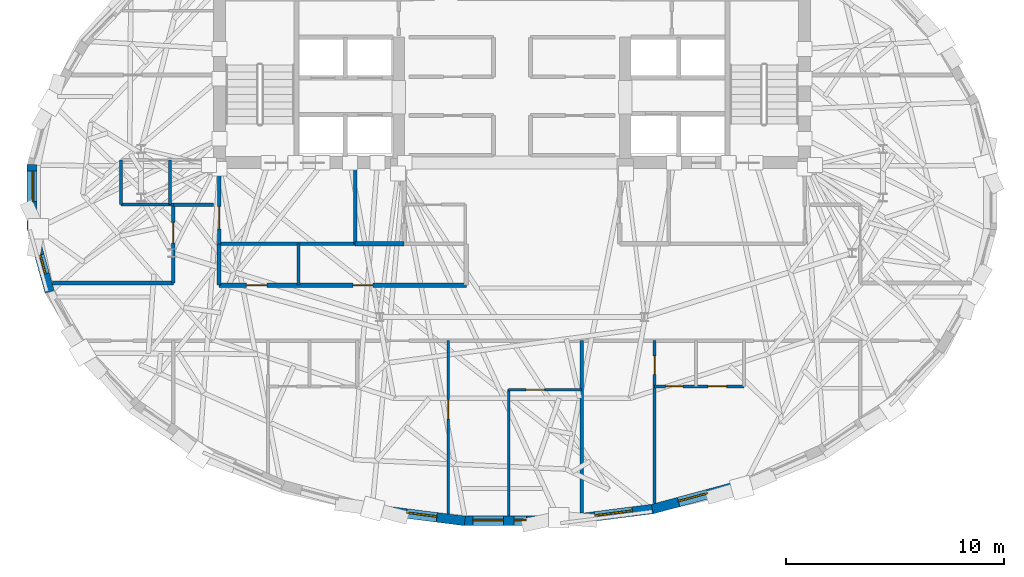
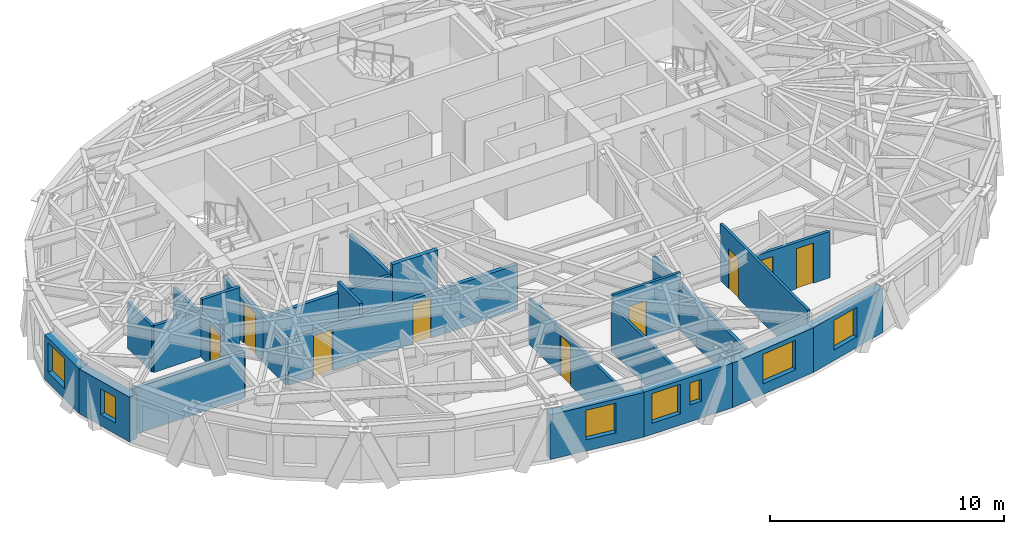
# One storey, part 6 of 13: 25 walls, 9 doors, 7 windows, 16 openings.
"""IFC4 building model written with IfcOpenShell, lengths in metres."""

from ifc_helpers import new_model, si_unit, direction, frame, frame_2d, origin, place, context, subcontext, project, spatial, rectangle, extrude, material, layer, layer_set, type_object, element, fill, save


model = new_model("IFC4")

# Units and contexts
model_context = context("Model", 3, precision=1e-05, world=origin(), true_north=direction((0.0, 1.0)))
body_context = subcontext(model_context, "Body", "Model", "MODEL_VIEW")
ifc_project = project(units=[si_unit("LENGTHUNIT", "METRE"), si_unit("AREAUNIT", "SQUARE_METRE"), si_unit("VOLUMEUNIT", "CUBIC_METRE"), si_unit("PLANEANGLEUNIT", "RADIAN"), si_unit("MASSUNIT", "GRAM", prefix="KILO")], contexts=[model_context])

# Site, building, storey
site_placement = place(None, origin())
site = spatial("IfcSite", under=ifc_project, at=site_placement, CompositionType="ELEMENT")
building_placement = place(site_placement, origin())
building = spatial("IfcBuilding", under=site, at=building_placement, Name="Keldmark Tower", CompositionType="ELEMENT")
storey_placement = place(building_placement, frame((0.0, 0.0, 232.050048828125)))
storey = spatial("IfcBuildingStorey", under=building, at=storey_placement, Name="L65", CompositionType="ELEMENT", Elevation=232.050048828125)

# Wall, openings, doors
ifc_material_1 = material(Name="Heavy Acoustic Plumbing Chase Gypsum Assembly", Category="gypsum")
ifc_layer_1 = layer(ifc_material_1, 0.18994140625)
ifc_layer_set_1 = layer_set([ifc_layer_1], Name="Heavy Acoustic Plumbing Chase Gypsum Assembly")
wall_type_1 = type_object("IfcWallType", Name="Heavy Wet Wall 190 mm", PredefinedType="PLUMBINGWALL", material=ifc_layer_set_1)
wall_1_placement = place(storey_placement, frame((-13.449951171875, -4.050048828125, 0.0), z_axis=(0.0, 0.0, 1.0), x_axis=(1.0, 0.0, 0.0)))
wall_1 = element("IfcWall", 1, at=wall_1_placement, inside=storey, type_object=wall_type_1, Name="L65 Heavy Wet Wall 190 mm SPK-W-S", PredefinedType="PLUMBINGWALL", context=body_context, shape_type="SweptSolid", body=[
    extrude(rectangle(XDim=11.349853515625, YDim=0.18994140625, at=frame_2d((5.6748046875, 0.0))), origin(), (0.0, 0.0, 1.0), 2.35693359375),
])
opening_1_placement = place(wall_1_placement, frame((1.25, 0.0, 0.0)))
opening_1 = element("IfcOpeningElement", 2, at=opening_1_placement, cuts=wall_1, Name="Opening D-AWC95", PredefinedType="OPENING", context=body_context, shape_type="SweptSolid", body=[
    extrude(rectangle(XDim=0.949951171875, YDim=2.14990234375, at=frame_2d((0.47509765625, 1.074951171875))), frame((0.0, 0.10498046875, 0.0), z_axis=(0.0, -1.0, 0.0), x_axis=(1.0, 0.0, 0.0)), (0.0, 0.0, 1.0), 0.2099609375),
])
opening_2_placement = place(wall_1_placement, frame((6.159912109375, 0.0, 0.0)))
opening_2 = element("IfcOpeningElement", 3, at=opening_2_placement, cuts=wall_1, Name="Opening D-IN090", PredefinedType="OPENING", context=body_context, shape_type="SweptSolid", body=[
    extrude(rectangle(XDim=0.89990234375, YDim=2.10009765625, at=frame_2d((0.449951171875, 1.050048828125))), frame((0.0, 0.10498046875, 0.0), z_axis=(0.0, -1.0, 0.0), x_axis=(1.0, 0.0, 0.0)), (0.0, 0.0, 1.0), 0.2099609375),
])
ifc_material_2 = material(Name="Painted Solid-Core Architectural Wood", Category="wood")
door_type_1 = type_object("IfcDoorType", Name="Accessible WC Door 950x2150", OperationType="NOTDEFINED", PredefinedType="DOOR", material=ifc_material_2)
door_1_placement = place(opening_1_placement, origin())
door_1 = element("IfcDoor", 4, at=door_1_placement, inside=storey, type_object=door_type_1, Name="L65 Accessible WC Door 950x2150 D-SPKW1-L65", OperationType="SINGLE_SWING_RIGHT", OverallHeight=2.14990234375, OverallWidth=0.949951171875, PredefinedType="DOOR", context=body_context, shape_type="SweptSolid", body=[
    extrude(rectangle(XDim=0.949951171875, YDim=2.14990234375, at=frame_2d((0.47509765625, 1.074951171875))), frame((0.0, 0.02490234375, 0.0), z_axis=(0.0, -1.0, 0.0), x_axis=(1.0, 0.0, 0.0)), (0.0, 0.0, 1.0), 0.050048828125),
])
fill(opening_1, door_1)
ifc_material_3 = material(Name="Stained American White Oak Veneer", Category="wood")
door_type_2 = type_object("IfcDoorType", Name="Interior Door 900x2100", OperationType="NOTDEFINED", PredefinedType="DOOR", material=ifc_material_3)
door_2_placement = place(opening_2_placement, origin())
door_2 = element("IfcDoor", 5, at=door_2_placement, inside=storey, type_object=door_type_2, Name="L65 Interior Door 900x2100 D-SPKW2-L65", OperationType="SINGLE_SWING_RIGHT", OverallHeight=2.10009765625, OverallWidth=0.89990234375, PredefinedType="DOOR", context=body_context, shape_type="SweptSolid", body=[
    extrude(rectangle(XDim=0.89990234375, YDim=2.10009765625, at=frame_2d((0.449951171875, 1.050048828125))), frame((0.0, 0.02490234375, 0.0), z_axis=(0.0, -1.0, 0.0), x_axis=(1.0, 0.0, 0.0)), (0.0, 0.0, 1.0), 0.050048828125),
])
fill(opening_2, door_2)

# Walls
wall_2_placement = place(storey_placement, frame((-13.449951171875, -4.050048828125, 0.0), z_axis=(0.0, 0.0, 1.0), x_axis=(0.0, 1.0, 0.0)))
element("IfcWall", 6, at=wall_2_placement, inside=storey, type_object=wall_type_1, Name="L65 Heavy Wet Wall 190 mm SPK-W-W", PredefinedType="PLUMBINGWALL", context=body_context, shape_type="SweptSolid", body=[
    extrude(rectangle(XDim=1.900146484375, YDim=0.18994140625, at=frame_2d((0.9501953125, 0.0))), origin(), (0.0, 0.0, 1.0), 2.4228515625),
])
ifc_material_4 = material(Name="Acoustic Gypsum Board Interior Partition", Category="gypsum")
ifc_layer_2 = layer(ifc_material_4, 0.1298828125)
ifc_layer_set_2 = layer_set([ifc_layer_2], Name="Acoustic Gypsum Board Interior Partition")
wall_type_2 = type_object("IfcWallType", Name="Interior Partition 130 mm", PredefinedType="PARTITIONING", material=ifc_layer_set_2)
wall_3_placement = place(storey_placement, frame((-0.14990234375, -14.646728515625, 0.0), z_axis=(0.0, 0.0, 1.0), x_axis=(0.0, 1.0, 0.0)))
element("IfcWall", 7, at=wall_3_placement, inside=storey, type_object=wall_type_2, Name="L65 Interior Partition 130 mm UA-BR2-W", PredefinedType="PARTITIONING", context=body_context, shape_type="SweptSolid", body=[
    extrude(rectangle(XDim=5.796630859375, YDim=0.1298828125, at=frame_2d((2.8984375, 0.0))), origin(), (0.0, 0.0, 1.0), 2.4228515625),
])

# Wall, opening, door
wall_4_placement = place(storey_placement, frame((-0.14990234375, -8.85009765625, 0.0), z_axis=(0.0, 0.0, 1.0), x_axis=(1.0, 0.0, 0.0)))
wall_4 = element("IfcWall", 8, at=wall_4_placement, inside=storey, type_object=wall_type_2, Name="L65 Interior Partition 130 mm UA-BR2-N", PredefinedType="PARTITIONING", context=body_context, shape_type="SweptSolid", body=[
    extrude(rectangle(XDim=3.349853515625, YDim=0.1298828125, at=frame_2d((1.6748046875, 0.0))), origin(), (0.0, 0.0, 1.0), 2.969970703125),
])
opening_3_placement = place(wall_4_placement, frame((0.800048828125, 0.0, 0.0)))
opening_3 = element("IfcOpeningElement", 9, at=opening_3_placement, cuts=wall_4, Name="Opening D-BR085", PredefinedType="OPENING", context=body_context, shape_type="SweptSolid", body=[
    extrude(rectangle(XDim=0.85009765625, YDim=2.10009765625, at=frame_2d((0.425048828125, 1.050048828125))), frame((0.0, 0.074951171875, 0.0), z_axis=(0.0, -1.0, 0.0), x_axis=(1.0, 0.0, 0.0)), (0.0, 0.0, 1.0), 0.14990234375),
])
ifc_material_5 = material(Name="Solid-Core Stained Walnut Wood", Category="wood")
door_type_3 = type_object("IfcDoorType", Name="Bedroom Door 850x2100", OperationType="NOTDEFINED", PredefinedType="DOOR", material=ifc_material_5)
door_3_placement = place(opening_3_placement, origin())
door_3 = element("IfcDoor", 10, at=door_3_placement, inside=storey, type_object=door_type_3, Name="L65 Bedroom Door 850x2100 D-UA-BR2-L65", OperationType="SINGLE_SWING_LEFT", OverallHeight=2.10009765625, OverallWidth=0.85009765625, PredefinedType="DOOR", context=body_context, shape_type="SweptSolid", body=[
    extrude(rectangle(XDim=0.85009765625, YDim=2.10009765625, at=frame_2d((0.425048828125, 1.050048828125))), frame((0.0, 0.02490234375, 0.0), z_axis=(0.0, -1.0, 0.0), x_axis=(1.0, 0.0, 0.0)), (0.0, 0.0, 1.0), 0.050048828125),
])
fill(opening_3, door_3)

wall_5_placement = place(storey_placement, frame((-2.925048828125, -14.549560546875, 0.0), z_axis=(0.0, 0.0, 1.0), x_axis=(0.0, 1.0, 0.0)))
wall_5 = element("IfcWall", 11, at=wall_5_placement, inside=storey, type_object=wall_type_2, Name="L65 Interior Partition 130 mm UA-DIN-W", PredefinedType="PARTITIONING", context=body_context, shape_type="SweptSolid", body=[
    extrude(rectangle(XDim=7.949462890625, YDim=0.1298828125, at=frame_2d((3.974609375, 0.0))), origin(), (0.0, 0.0, 1.0), 2.4228515625),
])
opening_4_placement = place(wall_5_placement, frame((4.34912109375, 0.0, 0.0)))
opening_4 = element("IfcOpeningElement", 12, at=opening_4_placement, cuts=wall_5, Name="Opening D-IN090", PredefinedType="OPENING", context=body_context, shape_type="SweptSolid", body=[
    extrude(rectangle(XDim=0.89990234375, YDim=2.10009765625, at=frame_2d((0.449951171875, 1.050048828125))), frame((0.0, 0.074951171875, 0.0), z_axis=(0.0, -1.0, 0.0), x_axis=(1.0, 0.0, 0.0)), (0.0, 0.0, 1.0), 0.14990234375),
])
door_4_placement = place(opening_4_placement, origin())
door_4 = element("IfcDoor", 13, at=door_4_placement, inside=storey, type_object=door_type_2, Name="L65 Interior Door 900x2100 D-UA-DIN-L65", OperationType="SINGLE_SWING_LEFT", OverallHeight=2.10009765625, OverallWidth=0.89990234375, PredefinedType="DOOR", context=body_context, shape_type="SweptSolid", body=[
    extrude(rectangle(XDim=0.89990234375, YDim=2.10009765625, at=frame_2d((0.449951171875, 1.050048828125))), frame((0.0, 0.02490234375, 0.0), z_axis=(0.0, -1.0, 0.0), x_axis=(1.0, 0.0, 0.0)), (0.0, 0.0, 1.0), 0.050048828125),
])
fill(opening_4, door_4)

wall_6_placement = place(storey_placement, frame((6.550048828125, -14.0673828125, 0.0), z_axis=(0.0, 0.0, 1.0), x_axis=(0.0, 1.0, 0.0)))
wall_6 = element("IfcWall", 14, at=wall_6_placement, inside=storey, type_object=wall_type_2, Name="L65 Interior Partition 130 mm UB-BR1-E", PredefinedType="PARTITIONING", context=body_context, shape_type="SweptSolid", body=[
    extrude(rectangle(XDim=7.46728515625, YDim=0.1298828125, at=frame_2d((3.733642578125, 0.0))), origin(), (0.0, 0.0, 1.0), 2.969970703125),
])
opening_5_placement = place(wall_6_placement, frame((5.91748046875, 0.0, 0.0)))
opening_5 = element("IfcOpeningElement", 15, at=opening_5_placement, cuts=wall_6, Name="Opening D-BR085", PredefinedType="OPENING", context=body_context, shape_type="SweptSolid", body=[
    extrude(rectangle(XDim=0.85009765625, YDim=2.10009765625, at=frame_2d((0.425048828125, 1.050048828125))), frame((0.0, 0.074951171875, 0.0), z_axis=(0.0, -1.0, 0.0), x_axis=(1.0, 0.0, 0.0)), (0.0, 0.0, 1.0), 0.14990234375),
])
door_5_placement = place(opening_5_placement, origin())
door_5 = element("IfcDoor", 16, at=door_5_placement, inside=storey, type_object=door_type_3, Name="L65 Bedroom Door 850x2100 D-UB-BR1-L65", OperationType="SINGLE_SWING_RIGHT", OverallHeight=2.10009765625, OverallWidth=0.85009765625, PredefinedType="DOOR", context=body_context, shape_type="SweptSolid", body=[
    extrude(rectangle(XDim=0.85009765625, YDim=2.10009765625, at=frame_2d((0.425048828125, 1.050048828125))), frame((0.0, 0.02490234375, 0.0), z_axis=(0.0, -1.0, 0.0), x_axis=(1.0, 0.0, 0.0)), (0.0, 0.0, 1.0), 0.050048828125),
])
fill(opening_5, door_5)

# Wall
ifc_material_6 = material(Name="Type X Fire-Rated Gypsum Partition Assembly", Category="gypsum")
ifc_layer_3 = layer(ifc_material_6, 0.1650390625)
ifc_layer_set_3 = layer_set([ifc_layer_3], Name="Type X Fire-Rated Gypsum Partition Assembly")
wall_type_3 = type_object("IfcWallType", Name="Rated Partition 165 mm", PredefinedType="PARTITIONING", material=ifc_layer_set_3)
wall_7_placement = place(storey_placement, frame((-13.449951171875, -2.14990234375, 0.0), z_axis=(0.0, 0.0, 1.0), x_axis=(1.0, 0.0, 0.0)))
element("IfcWall", 17, at=wall_7_placement, inside=storey, type_object=wall_type_3, Name="L65 Rated Partition 165 mm FSAE-W-S", PredefinedType="PARTITIONING", context=body_context, shape_type="SweptSolid", body=[
    extrude(rectangle(XDim=6.25, YDim=0.1650390625, at=frame_2d((3.125, 0.0))), origin(), (0.0, 0.0, 1.0), 2.4228515625),
])

# Wall, opening, door
wall_8_placement = place(storey_placement, frame((-13.449951171875, -2.14990234375, 0.0), z_axis=(0.0, 0.0, 1.0), x_axis=(0.0, 1.0, 0.0)))
wall_8 = element("IfcWall", 18, at=wall_8_placement, inside=storey, type_object=wall_type_3, Name="L65 Rated Partition 165 mm FSAE-W-W", PredefinedType="PARTITIONING", context=body_context, shape_type="SweptSolid", body=[
    extrude(rectangle(XDim=3.5, YDim=0.1650390625, at=frame_2d((1.75, 0.0))), origin(), (0.0, 0.0, 1.0), 2.4228515625),
])
opening_6_placement = place(wall_8_placement, frame((0.669921875, 0.0, 0.0)))
opening_6 = element("IfcOpeningElement", 19, at=opening_6_placement, cuts=wall_8, Name="Opening D-FL105", PredefinedType="OPENING", context=body_context, shape_type="SweptSolid", body=[
    extrude(rectangle(XDim=1.050048828125, YDim=2.14990234375, at=frame_2d((0.52490234375, 1.074951171875))), frame((0.0, 0.092529296875, 0.0), z_axis=(0.0, -1.0, 0.0), x_axis=(1.0, 0.0, 0.0)), (0.0, 0.0, 1.0), 0.18505859375),
])
ifc_material_7 = material(Name="Fire-Rated Mineral-Core Door and Vision Lite", Category="metal")
door_type_4 = type_object("IfcDoorType", Name="Fire Lobby Door 1050x2150", OperationType="NOTDEFINED", PredefinedType="DOOR", material=ifc_material_7)
door_6_placement = place(opening_6_placement, origin())
door_6 = element("IfcDoor", 20, at=door_6_placement, inside=storey, type_object=door_type_4, Name="L65 Fire Lobby Door 1050x2150 D-FSAEW-OUT-L65", OperationType="SINGLE_SWING_LEFT", OverallHeight=2.14990234375, OverallWidth=1.050048828125, PredefinedType="DOOR", context=body_context, shape_type="SweptSolid", body=[
    extrude(rectangle(XDim=1.050048828125, YDim=2.14990234375, at=frame_2d((0.52490234375, 1.074951171875))), frame((0.0, 0.02490234375, 0.0), z_axis=(0.0, -1.0, 0.0), x_axis=(1.0, 0.0, 0.0)), (0.0, 0.0, 1.0), 0.050048828125),
])
fill(opening_6, door_6)

# Walls
wall_9_placement = place(storey_placement, frame((-7.199951171875, -2.14990234375, 0.0), z_axis=(0.0, 0.0, 1.0), x_axis=(0.0, 1.0, 0.0)))
element("IfcWall", 21, at=wall_9_placement, inside=storey, type_object=wall_type_3, Name="L65 Rated Partition 165 mm FSAE-W-E", PredefinedType="PARTITIONING", context=body_context, shape_type="SweptSolid", body=[
    extrude(rectangle(XDim=3.5, YDim=0.1650390625, at=frame_2d((1.75, 0.0))), origin(), (0.0, 0.0, 1.0), 2.4228515625),
])
wall_10_placement = place(storey_placement, frame((-21.10986328125, -3.949951171875, 0.0), z_axis=(0.0, 0.0, 1.0), x_axis=(1.0, 0.0, 0.0)))
element("IfcWall", 22, at=wall_10_placement, inside=storey, type_object=wall_type_3, Name="L65 Rated Partition 165 mm RCOR-WN-OUT", PredefinedType="PARTITIONING", context=body_context, shape_type="SweptSolid", body=[
    extrude(rectangle(XDim=5.559814453125, YDim=0.1650390625, at=frame_2d((2.77978515625, 0.0))), origin(), (0.0, 0.0, 1.0), 2.4228515625),
])

# Wall, opening, door
wall_11_placement = place(storey_placement, frame((-15.550048828125, -3.949951171875, 0.0), z_axis=(0.0, 0.0, 1.0), x_axis=(0.0, 1.0, 0.0)))
wall_11 = element("IfcWall", 23, at=wall_11_placement, inside=storey, type_object=wall_type_3, Name="L65 Rated Partition 165 mm RCOR-VW", PredefinedType="PARTITIONING", context=body_context, shape_type="SweptSolid", body=[
    extrude(rectangle(XDim=3.599853515625, YDim=0.1650390625, at=frame_2d((1.7998046875, 0.0))), origin(), (0.0, 0.0, 1.0), 2.35693359375),
])
opening_7_placement = place(wall_11_placement, frame((1.830078125, 0.0, 0.0)))
opening_7 = element("IfcOpeningElement", 24, at=opening_7_placement, cuts=wall_11, Name="Opening D-AP095", PredefinedType="OPENING", context=body_context, shape_type="SweptSolid", body=[
    extrude(rectangle(XDim=0.949951171875, YDim=2.14990234375, at=frame_2d((0.47509765625, 1.074951171875))), frame((0.0, 0.092529296875, 0.0), z_axis=(0.0, -1.0, 0.0), x_axis=(1.0, 0.0, 0.0)), (0.0, 0.0, 1.0), 0.18505859375),
])
ifc_material_8 = material(Name="Solid-Core Walnut Fire-Rated Entry Assembly", Category="wood")
door_type_5 = type_object("IfcDoorType", Name="Apartment Entry Door 950x2150", OperationType="NOTDEFINED", PredefinedType="DOOR", material=ifc_material_8)
door_7_placement = place(opening_7_placement, origin())
door_7 = element("IfcDoor", 25, at=door_7_placement, inside=storey, type_object=door_type_5, Name="L65 Apartment Entry Door 950x2150 D-UC-ENT-L65", OperationType="SINGLE_SWING_RIGHT", OverallHeight=2.14990234375, OverallWidth=0.949951171875, PredefinedType="DOOR", context=body_context, shape_type="SweptSolid", body=[
    extrude(rectangle(XDim=0.949951171875, YDim=2.14990234375, at=frame_2d((0.47509765625, 1.074951171875))), frame((0.0, 0.02490234375, 0.0), z_axis=(0.0, -1.0, 0.0), x_axis=(1.0, 0.0, 0.0)), (0.0, 0.0, 1.0), 0.050048828125),
])
fill(opening_7, door_7)

# Walls
wall_12_placement = place(storey_placement, frame((-15.550048828125, -0.35009765625, 0.0), z_axis=(0.0, 0.0, 1.0), x_axis=(1.0, 0.0, 0.0)))
element("IfcWall", 26, at=wall_12_placement, inside=storey, type_object=wall_type_3, Name="L65 Rated Partition 165 mm RCOR-VWN", PredefinedType="PARTITIONING", context=body_context, shape_type="SweptSolid", body=[
    extrude(rectangle(XDim=1.85009765625, YDim=0.1650390625, at=frame_2d((0.925048828125, 0.0))), origin(), (0.0, 0.0, 1.0), 2.969970703125),
])
wall_13_placement = place(storey_placement, frame((3.199951171875, -14.514404296875, 0.0), z_axis=(0.0, 0.0, 1.0), x_axis=(0.0, 1.0, 0.0)))
element("IfcWall", 27, at=wall_13_placement, inside=storey, type_object=wall_type_3, Name="L65 Rated Partition 165 mm RS-DIV-1", PredefinedType="PARTITIONING", context=body_context, shape_type="SweptSolid", body=[
    extrude(rectangle(XDim=7.914306640625, YDim=0.1650390625, at=frame_2d((3.95703125, 0.0))), origin(), (0.0, 0.0, 1.0), 2.4228515625),
])
ifc_material_9 = material(Name="Fire-Resistant Type X Gypsum Shaftliner Coreboard", Category="gypsum")
ifc_layer_4 = layer(ifc_material_9, 0.199951171875)
ifc_layer_set_4 = layer_set([ifc_layer_4], Name="Fire-Resistant Type X Gypsum Shaftliner Coreboard")
wall_type_4 = type_object("IfcWallType", Name="Shaft Wall 200 mm", PredefinedType="SOLIDWALL", material=ifc_layer_set_4)
wall_14_placement = place(storey_placement, frame((-7.199951171875, -2.14990234375, 0.0), z_axis=(0.0, 0.0, 1.0), x_axis=(1.0, 0.0, 0.0)))
element("IfcWall", 28, at=wall_14_placement, inside=storey, type_object=wall_type_4, Name="L65 Shaft Wall 200 mm RIS-SW-S", PredefinedType="SOLIDWALL", context=body_context, shape_type="SweptSolid", body=[
    extrude(rectangle(XDim=2.25, YDim=0.199951171875, at=frame_2d((1.125, 0.0))), origin(), (0.0, 0.0, 1.0), 2.969970703125),
])

# Wall, opening, window
ifc_material_10 = material(Name="Ironspot Manganese Brick and Kasota Buff Limestone Spandrel Assembly", Category="masonry")
ifc_layer_5 = layer(ifc_material_10, 0.43994140625)
ifc_layer_set_5 = layer_set([ifc_layer_5], Name="Ironspot Manganese Brick and Kasota Buff Limestone Spandrel Assembly")
wall_type_5 = type_object("IfcWallType", Name="Tower Brick Pier and Spandrel Wall 440 mm", PredefinedType="STANDARD", material=ifc_layer_set_5)
wall_15_placement = place(storey_placement, frame((-22.039306640625, -1.48681640625, 0.0), z_axis=(0.0, 0.0, 1.0), x_axis=(0.0, 1.0, 0.0)))
wall_15 = element("IfcWall", 29, at=wall_15_placement, inside=storey, type_object=wall_type_5, Name="L65 Exterior Brick and Spandrel Wall 16", PredefinedType="STANDARD", context=body_context, shape_type="SweptSolid", body=[
    extrude(rectangle(XDim=2.9736328125, YDim=0.43994140625, at=frame_2d((1.48681640625, 0.0))), origin(), (0.0, 0.0, 1.0), 2.3359375),
])
opening_8_placement = place(wall_15_placement, frame((1.275634765625, 0.0, 0.550048828125)))
opening_8 = element("IfcOpeningElement", 30, at=opening_8_placement, cuts=wall_15, Name="Opening W-08", PredefinedType="OPENING", context=body_context, shape_type="SweptSolid", body=[
    extrude(rectangle(XDim=1.39990234375, YDim=1.550048828125, at=frame_2d((0.699951171875, 0.77490234375))), frame((0.0, 0.22998046875, 0.0), z_axis=(0.0, -1.0, 0.0), x_axis=(1.0, 0.0, 0.0)), (0.0, 0.0, 1.0), 0.4599609375),
])
ifc_material_11 = material(Name="Thermally Broken Anodized Aluminum and Triple Low-E Argon Glazing", Category="aluminium")
window_type_1 = type_object("IfcWindowType", Name="Residential Corner Punched Window 1400x1550", PartitioningType="SINGLE_PANEL", PredefinedType="WINDOW", material=ifc_material_11)
window_1_placement = place(opening_8_placement, origin())
window_1 = element("IfcWindow", 31, at=window_1_placement, inside=storey, type_object=window_type_1, Name="L65 Deep-Set Window 16", OverallHeight=1.550048828125, OverallWidth=1.39990234375, PartitioningType="SINGLE_PANEL", PredefinedType="WINDOW", context=body_context, shape_type="SweptSolid", body=[
    extrude(rectangle(XDim=1.39990234375, YDim=1.550048828125, at=frame_2d((0.699951171875, 0.77490234375))), frame((0.0, -0.010009765625, 0.0), z_axis=(0.0, -1.0, 0.0), x_axis=(1.0, 0.0, 0.0)), (0.0, 0.0, 1.0), 0.06005859375),
])
fill(opening_8, window_1)

wall_16_placement = place(storey_placement, frame((-21.234619140625, -4.352783203125, 0.0), z_axis=(0.0, 0.0, 1.0), x_axis=(-0.267714373586, 0.963498320795, 0.0)))
wall_16 = element("IfcWall", 32, at=wall_16_placement, inside=storey, type_object=wall_type_5, Name="L65 Exterior Brick and Spandrel Wall 17", PredefinedType="STANDARD", context=body_context, shape_type="SweptSolid", body=[
    extrude(rectangle(XDim=3.035888671875, YDim=0.43994140625, at=frame_2d((1.51806640625, 0.0))), origin(), (0.0, 0.0, 1.0), 2.3359375),
])
opening_9_placement = place(wall_16_placement, frame((0.8447265625, 0.0, 0.580078125)))
opening_9 = element("IfcOpeningElement", 33, at=opening_9_placement, cuts=wall_16, Name="Opening W-09", PredefinedType="OPENING", context=body_context, shape_type="SweptSolid", body=[
    extrude(rectangle(XDim=0.89990234375, YDim=1.35009765625, at=frame_2d((0.449951171875, 0.675048828125))), frame((0.0, 0.22998046875, 0.0), z_axis=(0.0, -1.0, 0.0), x_axis=(1.0, 0.0, 0.0)), (0.0, 0.0, 1.0), 0.4599609375),
])
ifc_material_12 = material(Name="Thermally Broken Anodized Aluminum and Triple Low-E Argon Glazing", Category="aluminium")
window_type_2 = type_object("IfcWindowType", Name="Corner Pier Deep-Set Window 900x1350", PartitioningType="SINGLE_PANEL", PredefinedType="WINDOW", material=ifc_material_12)
window_2_placement = place(opening_9_placement, origin())
window_2 = element("IfcWindow", 34, at=window_2_placement, inside=storey, type_object=window_type_2, Name="L65 Deep-Set Window 17", OverallHeight=1.35009765625, OverallWidth=0.89990234375, PartitioningType="SINGLE_PANEL", PredefinedType="WINDOW", context=body_context, shape_type="SweptSolid", body=[
    extrude(rectangle(XDim=0.89990234375, YDim=1.35009765625, at=frame_2d((0.449951171875, 0.675048828125))), frame((0.0, -0.010009765625, 0.0), z_axis=(0.0, -1.0, 0.0), x_axis=(1.0, 0.0, 0.0)), (0.0, 0.0, 1.0), 0.06005859375),
])
fill(opening_9, window_2)

wall_17_placement = place(storey_placement, frame((-2.164306640625, -14.876708984375, 0.0), z_axis=(0.0, 0.0, 1.0), x_axis=(-0.991932064275, 0.126770579643, 0.0)))
wall_17 = element("IfcWall", 35, at=wall_17_placement, inside=storey, type_object=wall_type_5, Name="L65 Exterior Brick and Spandrel Wall 23", PredefinedType="STANDARD", context=body_context, shape_type="SweptSolid", body=[
    extrude(rectangle(XDim=4.3486328125, YDim=0.43994140625, at=frame_2d((2.17431640625, 0.0))), origin(), (0.0, 0.0, 1.0), 2.3359375),
])
opening_10_placement = place(wall_17_placement, frame((1.29931640625, 0.0, 0.580078125)))
opening_10 = element("IfcOpeningElement", 36, at=opening_10_placement, cuts=wall_17, Name="Opening W-08", PredefinedType="OPENING", context=body_context, shape_type="SweptSolid", body=[
    extrude(rectangle(XDim=1.39990234375, YDim=1.550048828125, at=frame_2d((0.699951171875, 0.77490234375))), frame((0.0, 0.22998046875, 0.0), z_axis=(0.0, -1.0, 0.0), x_axis=(1.0, 0.0, 0.0)), (0.0, 0.0, 1.0), 0.4599609375),
])
window_3_placement = place(opening_10_placement, origin())
window_3 = element("IfcWindow", 37, at=window_3_placement, inside=storey, type_object=window_type_1, Name="L65 Deep-Set Window 23", OverallHeight=1.550048828125, OverallWidth=1.39990234375, PartitioningType="SINGLE_PANEL", PredefinedType="WINDOW", context=body_context, shape_type="SweptSolid", body=[
    extrude(rectangle(XDim=1.39990234375, YDim=1.550048828125, at=frame_2d((0.699951171875, 0.77490234375))), frame((0.0, -0.010009765625, 0.0), z_axis=(0.0, -1.0, 0.0), x_axis=(1.0, 0.0, 0.0)), (0.0, 0.0, 1.0), 0.06005859375),
])
fill(opening_10, window_3)

# Wall, openings, windows
wall_18_placement = place(storey_placement, frame((2.1923828125, -14.874755859375, 0.0), z_axis=(0.0, 0.0, 1.0), x_axis=(-1.0, 0.0, 0.0)))
wall_18 = element("IfcWall", 38, at=wall_18_placement, inside=storey, type_object=wall_type_5, Name="L65 Exterior Brick and Spandrel Wall 24", PredefinedType="STANDARD", context=body_context, shape_type="SweptSolid", body=[
    extrude(rectangle(XDim=4.384765625, YDim=0.43994140625, at=frame_2d((2.1923828125, 0.0))), origin(), (0.0, 0.0, 1.0), 2.3359375),
])
opening_11_placement = place(wall_18_placement, frame((2.585693359375, 0.0, 0.580078125)))
opening_11 = element("IfcOpeningElement", 39, at=opening_11_placement, cuts=wall_18, Name="Opening W-08", PredefinedType="OPENING", context=body_context, shape_type="SweptSolid", body=[
    extrude(rectangle(XDim=1.39990234375, YDim=1.550048828125, at=frame_2d((0.699951171875, 0.77490234375))), frame((0.0, 0.22998046875, 0.0), z_axis=(0.0, -1.0, 0.0), x_axis=(1.0, 0.0, 0.0)), (0.0, 0.0, 1.0), 0.4599609375),
])
opening_12_placement = place(wall_18_placement, frame((1.537841796875, 0.0, 0.8798828125)))
opening_12 = element("IfcOpeningElement", 40, at=opening_12_placement, cuts=wall_18, Name="Opening W-10", PredefinedType="OPENING", context=body_context, shape_type="SweptSolid", body=[
    extrude(rectangle(XDim=0.56005859375, YDim=1.14990234375, at=frame_2d((0.280029296875, 0.574951171875))), frame((0.0, 0.22998046875, 0.0), z_axis=(0.0, -1.0, 0.0), x_axis=(1.0, 0.0, 0.0)), (0.0, 0.0, 1.0), 0.4599609375),
])
ifc_material_13 = material(Name="Thermally Broken Anodized Aluminum and Triple Low-E Argon Glazing", Category="aluminium")
window_type_3 = type_object("IfcWindowType", Name="Narrow Pier Lancet Window 560x1150", PartitioningType="SINGLE_PANEL", PredefinedType="WINDOW", material=ifc_material_13)
window_4_placement = place(opening_12_placement, origin())
window_4 = element("IfcWindow", 41, at=window_4_placement, inside=storey, type_object=window_type_3, Name="L65 Pier Window RM01", OverallHeight=1.14990234375, OverallWidth=0.56005859375, PartitioningType="SINGLE_PANEL", PredefinedType="WINDOW", context=body_context, shape_type="SweptSolid", body=[
    extrude(rectangle(XDim=0.56005859375, YDim=1.14990234375, at=frame_2d((0.280029296875, 0.574951171875))), frame((0.0, -0.010009765625, 0.0), z_axis=(0.0, -1.0, 0.0), x_axis=(1.0, 0.0, 0.0)), (0.0, 0.0, 1.0), 0.06005859375),
])
fill(opening_12, window_4)
window_5_placement = place(opening_11_placement, origin())
window_5 = element("IfcWindow", 42, at=window_5_placement, inside=storey, type_object=window_type_1, Name="L65 Deep-Set Window 24", OverallHeight=1.550048828125, OverallWidth=1.39990234375, PartitioningType="SINGLE_PANEL", PredefinedType="WINDOW", context=body_context, shape_type="SweptSolid", body=[
    extrude(rectangle(XDim=1.39990234375, YDim=1.550048828125, at=frame_2d((0.699951171875, 0.77490234375))), frame((0.0, -0.010009765625, 0.0), z_axis=(0.0, -1.0, 0.0), x_axis=(1.0, 0.0, 0.0)), (0.0, 0.0, 1.0), 0.06005859375),
])
fill(opening_11, window_5)

# Wall, opening, window
wall_19_placement = place(storey_placement, frame((6.477783203125, -14.325439453125, 0.0), z_axis=(0.0, 0.0, 1.0), x_axis=(-0.991932064275, -0.126770579643, 0.0)))
wall_19 = element("IfcWall", 43, at=wall_19_placement, inside=storey, type_object=wall_type_5, Name="L65 Exterior Brick and Spandrel Wall 25", PredefinedType="STANDARD", context=body_context, shape_type="SweptSolid", body=[
    extrude(rectangle(XDim=4.3486328125, YDim=0.43994140625, at=frame_2d((2.17431640625, 0.0))), origin(), (0.0, 0.0, 1.0), 2.3359375),
])
opening_13_placement = place(wall_19_placement, frame((0.949462890625, 0.0, 0.550048828125)))
opening_13 = element("IfcOpeningElement", 44, at=opening_13_placement, cuts=wall_19, Name="Opening W-05", PredefinedType="OPENING", context=body_context, shape_type="SweptSolid", body=[
    extrude(rectangle(XDim=1.75, YDim=1.550048828125, at=frame_2d((0.875, 0.77490234375))), frame((0.0, 0.22998046875, 0.0), z_axis=(0.0, -1.0, 0.0), x_axis=(1.0, 0.0, 0.0)), (0.0, 0.0, 1.0), 0.4599609375),
])
ifc_material_14 = material(Name="Thermally Broken Anodized Aluminum and Triple Low-E Argon Glazing", Category="aluminium")
window_type_4 = type_object("IfcWindowType", Name="Residential Deep-Set Window 1750x1550", PartitioningType="DOUBLE_PANEL_VERTICAL", PredefinedType="WINDOW", material=ifc_material_14)
window_6_placement = place(opening_13_placement, origin())
window_6 = element("IfcWindow", 45, at=window_6_placement, inside=storey, type_object=window_type_4, Name="L65 Deep-Set Window 25", OverallHeight=1.550048828125, OverallWidth=1.75, PartitioningType="SINGLE_PANEL", PredefinedType="WINDOW", context=body_context, shape_type="SweptSolid", body=[
    extrude(rectangle(XDim=1.75, YDim=1.550048828125, at=frame_2d((0.875, 0.77490234375))), frame((0.0, -0.010009765625, 0.0), z_axis=(0.0, -1.0, 0.0), x_axis=(1.0, 0.0, 0.0)), (0.0, 0.0, 1.0), 0.06005859375),
])
fill(opening_13, window_6)

wall_20_placement = place(storey_placement, frame((10.5341796875, -13.22509765625, 0.0), z_axis=(0.0, 0.0, 1.0), x_axis=(-0.965250622562, -0.261325918429, 0.0)))
wall_20 = element("IfcWall", 46, at=wall_20_placement, inside=storey, type_object=wall_type_5, Name="L65 Exterior Brick and Spandrel Wall 26", PredefinedType="STANDARD", context=body_context, shape_type="SweptSolid", body=[
    extrude(rectangle(XDim=4.233154296875, YDim=0.43994140625, at=frame_2d((2.11669921875, 0.0))), origin(), (0.0, 0.0, 1.0), 2.3359375),
])
opening_14_placement = place(wall_20_placement, frame((1.59033203125, 0.0, 0.550048828125)))
opening_14 = element("IfcOpeningElement", 47, at=opening_14_placement, cuts=wall_20, Name="Opening W-08", PredefinedType="OPENING", context=body_context, shape_type="SweptSolid", body=[
    extrude(rectangle(XDim=1.39990234375, YDim=1.550048828125, at=frame_2d((0.699951171875, 0.77490234375))), frame((0.0, 0.22998046875, 0.0), z_axis=(0.0, -1.0, 0.0), x_axis=(1.0, 0.0, 0.0)), (0.0, 0.0, 1.0), 0.4599609375),
])
window_7_placement = place(opening_14_placement, origin())
window_7 = element("IfcWindow", 48, at=window_7_placement, inside=storey, type_object=window_type_1, Name="L65 Deep-Set Window 26", OverallHeight=1.550048828125, OverallWidth=1.39990234375, PartitioningType="SINGLE_PANEL", PredefinedType="WINDOW", context=body_context, shape_type="SweptSolid", body=[
    extrude(rectangle(XDim=1.39990234375, YDim=1.550048828125, at=frame_2d((0.699951171875, 0.77490234375))), frame((0.0, -0.010009765625, 0.0), z_axis=(0.0, -1.0, 0.0), x_axis=(1.0, 0.0, 0.0)), (0.0, 0.0, 1.0), 0.06005859375),
])
fill(opening_14, window_7)

# Wall
ifc_material_15 = material(Name="Moisture-Resistant Gypsum Plumbing Partition", Category="gypsum")
ifc_layer_6 = layer(ifc_material_15, 0.14990234375)
ifc_layer_set_6 = layer_set([ifc_layer_6], Name="Moisture-Resistant Gypsum Plumbing Partition")
wall_type_6 = type_object("IfcWallType", Name="Wet Wall 150 mm", PredefinedType="PLUMBINGWALL", material=ifc_layer_set_6)
wall_21_placement = place(storey_placement, frame((-9.800048828125, -4.050048828125, 0.0), z_axis=(0.0, 0.0, 1.0), x_axis=(0.0, 1.0, 0.0)))
element("IfcWall", 49, at=wall_21_placement, inside=storey, type_object=wall_type_6, Name="L65 Wet Wall 150 mm SPK-W-D1", PredefinedType="PLUMBINGWALL", context=body_context, shape_type="SweptSolid", body=[
    extrude(rectangle(XDim=1.900146484375, YDim=0.14990234375, at=frame_2d((0.9501953125, 0.0))), origin(), (0.0, 0.0, 1.0), 2.969970703125),
])

# Wall, openings, doors
wall_22_placement = place(storey_placement, frame((6.550048828125, -8.699951171875, 0.0), z_axis=(0.0, 0.0, 1.0), x_axis=(1.0, 0.0, 0.0)))
wall_22 = element("IfcWall", 50, at=wall_22_placement, inside=storey, type_object=wall_type_6, Name="L65 Wet Wall 150 mm UB-BK-S", PredefinedType="PLUMBINGWALL", context=body_context, shape_type="SweptSolid", body=[
    extrude(rectangle(XDim=4.099853515625, YDim=0.14990234375, at=frame_2d((2.0498046875, 0.0))), origin(), (0.0, 0.0, 1.0), 2.4228515625),
])
opening_15_placement = place(wall_22_placement, frame((0.5, 0.0, 0.0)))
opening_15 = element("IfcOpeningElement", 51, at=opening_15_placement, cuts=wall_22, Name="Opening D-BT080", PredefinedType="OPENING", context=body_context, shape_type="SweptSolid", body=[
    extrude(rectangle(XDim=0.800048828125, YDim=2.10009765625, at=frame_2d((0.39990234375, 1.050048828125))), frame((0.0, 0.0849609375, 0.0), z_axis=(0.0, -1.0, 0.0), x_axis=(1.0, 0.0, 0.0)), (0.0, 0.0, 1.0), 0.169921875),
])
opening_16_placement = place(wall_22_placement, frame((2.449951171875, 0.0, 0.0)))
opening_16 = element("IfcOpeningElement", 52, at=opening_16_placement, cuts=wall_22, Name="Opening D-IN085", PredefinedType="OPENING", context=body_context, shape_type="SweptSolid", body=[
    extrude(rectangle(XDim=0.85009765625, YDim=2.10009765625, at=frame_2d((0.425048828125, 1.050048828125))), frame((0.0, 0.0849609375, 0.0), z_axis=(0.0, -1.0, 0.0), x_axis=(1.0, 0.0, 0.0)), (0.0, 0.0, 1.0), 0.169921875),
])
ifc_material_16 = material(Name="Moisture-Sealed Stained Wood", Category="wood")
door_type_6 = type_object("IfcDoorType", Name="Bathroom Door 800x2100", OperationType="NOTDEFINED", PredefinedType="DOOR", material=ifc_material_16)
door_8_placement = place(opening_15_placement, origin())
door_8 = element("IfcDoor", 53, at=door_8_placement, inside=storey, type_object=door_type_6, Name="L65 Bathroom Door 800x2100 D-UB-BATH-L65", OperationType="SINGLE_SWING_LEFT", OverallHeight=2.10009765625, OverallWidth=0.800048828125, PredefinedType="DOOR", context=body_context, shape_type="SweptSolid", body=[
    extrude(rectangle(XDim=0.800048828125, YDim=2.10009765625, at=frame_2d((0.39990234375, 1.050048828125))), frame((0.0, 0.02490234375, 0.0), z_axis=(0.0, -1.0, 0.0), x_axis=(1.0, 0.0, 0.0)), (0.0, 0.0, 1.0), 0.050048828125),
])
fill(opening_15, door_8)
ifc_material_17 = material(Name="Painted Architectural Wood", Category="wood")
door_type_7 = type_object("IfcDoorType", Name="Interior Door 850x2100", OperationType="NOTDEFINED", PredefinedType="DOOR", material=ifc_material_17)
door_9_placement = place(opening_16_placement, origin())
door_9 = element("IfcDoor", 54, at=door_9_placement, inside=storey, type_object=door_type_7, Name="L65 Interior Door 850x2100 D-UB-KIT-L65", OperationType="SINGLE_SWING_RIGHT", OverallHeight=2.10009765625, OverallWidth=0.85009765625, PredefinedType="DOOR", context=body_context, shape_type="SweptSolid", body=[
    extrude(rectangle(XDim=0.85009765625, YDim=2.10009765625, at=frame_2d((0.425048828125, 1.050048828125))), frame((0.0, 0.02490234375, 0.0), z_axis=(0.0, -1.0, 0.0), x_axis=(1.0, 0.0, 0.0)), (0.0, 0.0, 1.0), 0.050048828125),
])
fill(opening_16, door_9)

# Walls
wall_23_placement = place(storey_placement, frame((-17.949951171875, -0.35009765625, 0.0), z_axis=(0.0, 0.0, 1.0), x_axis=(1.0, 0.0, 0.0)))
element("IfcWall", 55, at=wall_23_placement, inside=storey, type_object=wall_type_6, Name="L65 Wet Wall 150 mm UC-BK-S", PredefinedType="PLUMBINGWALL", context=body_context, shape_type="SweptSolid", body=[
    extrude(rectangle(XDim=2.39990234375, YDim=0.14990234375, at=frame_2d((1.199951171875, 0.0))), origin(), (0.0, 0.0, 1.0), 2.4228515625),
])
for number, where, z_axis, x_axis, name in (
    (56, (-15.699951171875, -0.35009765625, 0.0), (0.0, 0.0, 1.0), (0.0, 1.0, 0.0), "L65 Wet Wall 150 mm UC-BK-M"),
    (57, (-17.949951171875, -0.35009765625, 0.0), (0.0, 0.0, 1.0), (0.0, 1.0, 0.0), "L65 Wet Wall 150 mm UC-BK-OUT"),
):
    element("IfcWall", number, at=place(storey_placement, frame(where, z_axis=z_axis, x_axis=x_axis)), inside=storey, type_object=wall_type_6, Name=name, PredefinedType="PLUMBINGWALL", context=body_context, shape_type="SweptSolid", body=[
        extrude(rectangle(XDim=2.050048828125, YDim=0.14990234375, at=frame_2d((1.02490234375, 0.0))), origin(), (0.0, 0.0, 1.0), 2.4228515625),
    ])

save(model, "model.ifc")
